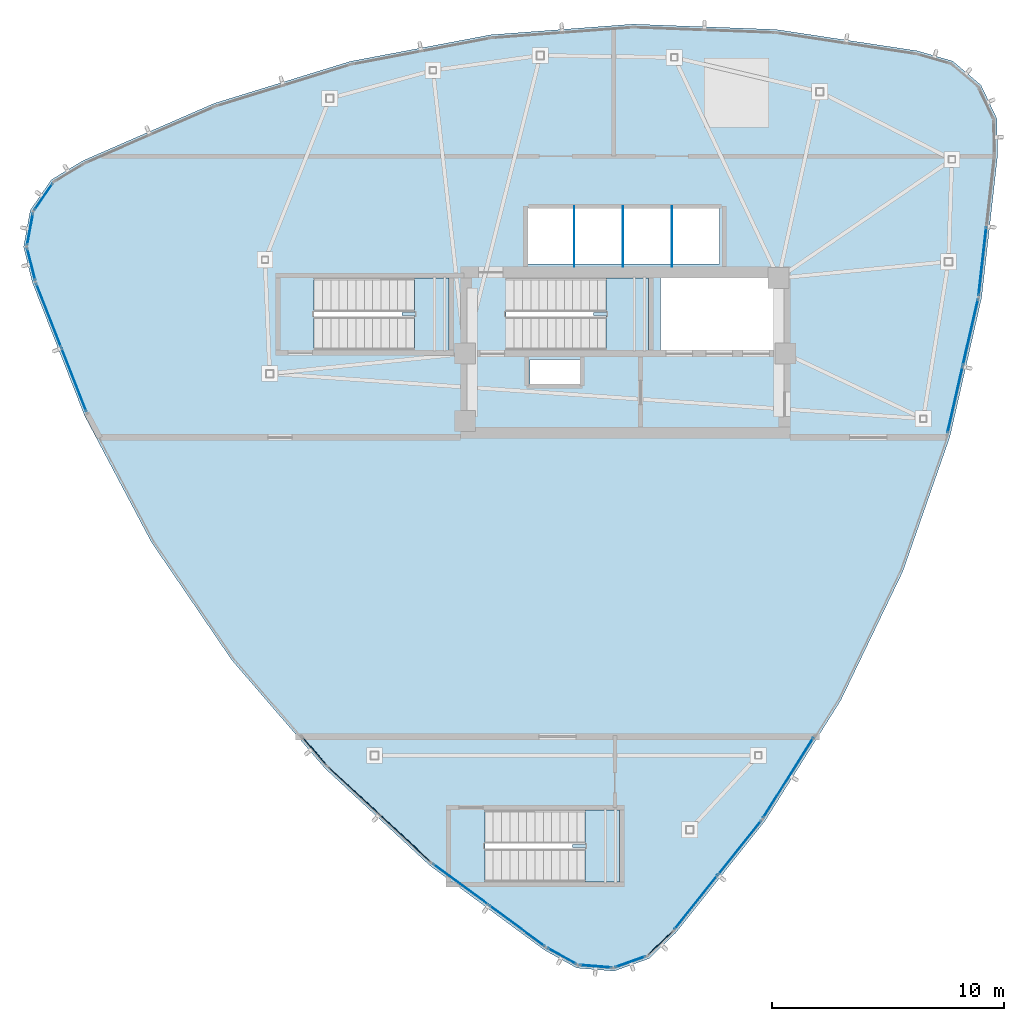
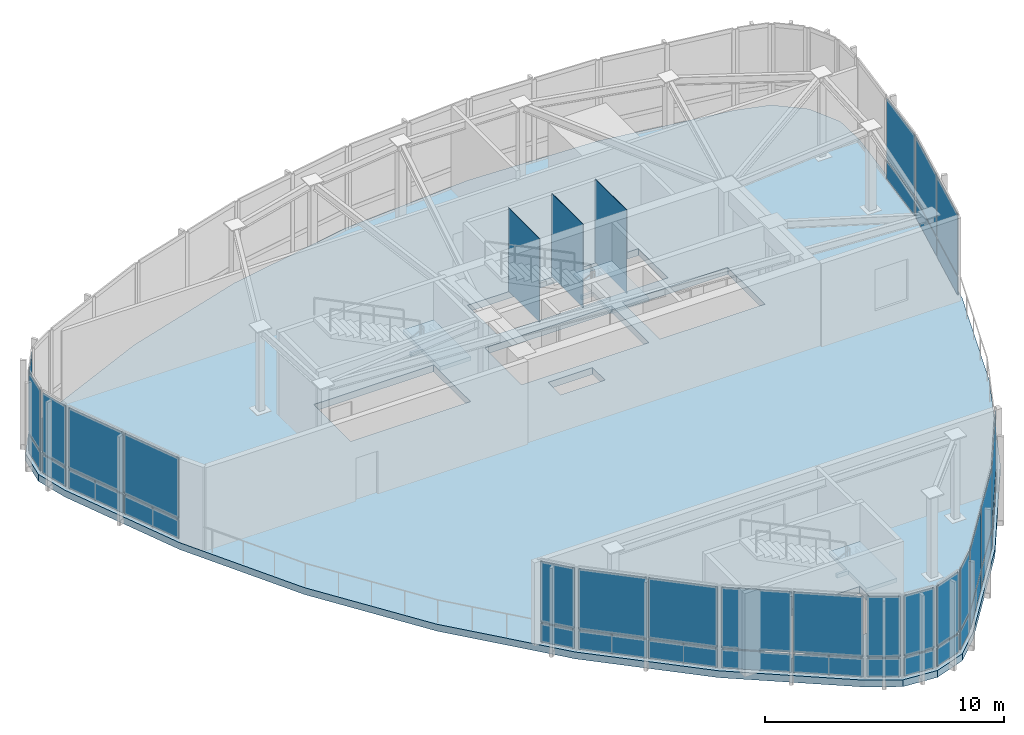
# One storey, part 9 of 16: 43 plates, 4 slabs, 18 elements without a shape of their own.
"""IFC4 building model written with IfcOpenShell, lengths in metres."""

from ifc_helpers import new_model, si_unit, direction, frame, origin, origin_2d, place, context, subcontext, project, spatial, polyline, rectangle, outline, extrude, source, transform, mapped, material, layer, layer_set, type_object, type_shapes, element, aggregate, save


model = new_model("IFC4")

# Units and contexts
model_context = context("Model", 3, precision=1e-05, world=origin(), true_north=direction((0.0, 1.0)))
body_context = subcontext(model_context, "Body", "Model", "MODEL_VIEW")
ifc_project = project(units=[si_unit("LENGTHUNIT", "METRE"), si_unit("AREAUNIT", "SQUARE_METRE"), si_unit("VOLUMEUNIT", "CUBIC_METRE"), si_unit("PLANEANGLEUNIT", "RADIAN"), si_unit("MASSUNIT", "GRAM", prefix="KILO")], contexts=[model_context])

# Site, building, storey
site_placement = place(None, origin())
site = spatial("IfcSite", under=ifc_project, at=site_placement, CompositionType="ELEMENT")
building_placement = place(site_placement, origin())
building = spatial("IfcBuilding", under=site, at=building_placement, Name="Tavelor Broadcast Tower", CompositionType="ELEMENT")
storey_placement = place(building_placement, frame((0.0, 0.0, 332.10009765625)))
storey = spatial("IfcBuildingStorey", under=building, at=storey_placement, Name="L79", CompositionType="ELEMENT", Elevation=332.10009765625)

# Slab
ifc_material_1 = material(Name="Concrete C40/50", Category="concrete")
ifc_layer_1 = layer(ifc_material_1, 0.35009765625)
ifc_layer_set_1 = layer_set([ifc_layer_1], Name="Concrete C40/50")
slab_type_1 = type_object("IfcSlabType", Name="Podium Structural Floor Slab 350 mm", PredefinedType="FLOOR", material=ifc_layer_set_1)
slab_1_placement = place(storey_placement, frame((0.0, 0.0, -0.35009765625)))
element("IfcSlab", 1, at=slab_1_placement, inside=storey, type_object=slab_type_1, Name="L79 Crown Deck and Sky-Slot Terrace Slab", PredefinedType="FLOOR", context=body_context, shape_type="SweptSolid", body=[
    extrude(outline(polyline([(26.659912109375, 56.263427734375), (25.288818359375, 55.43798828125), (24.37890625, 54.121337890625), (24.09130859375, 52.547119140625), (24.477294921875, 50.99365234375), (26.7216796875, 45.272216796875), (29.593017578125, 39.838134765625), (33.05517578125, 34.760009765625), (37.064208984375, 30.101806640625), (41.56982421875, 25.921875), (46.515380859375, 22.27294921875), (47.916015625, 21.498291015625), (49.51123046875, 21.368408203125), (51.018310546875, 21.90673828125), (52.170654296875, 23.017333984375), (56.00341796875, 27.822021484375), (59.273681640625, 33.025634765625), (61.9404296875, 38.56298828125), (63.97021484375, 44.364013671875), (65.33740234375, 50.356201171875), (66.0244140625, 56.463623046875), (65.9951171875, 58.063720703125), (65.309814453125, 59.510009765625), (64.090087890625, 60.54638671875), (62.552001953125, 60.98876953125), (56.474853515625, 61.90576171875), (50.333251953125, 62.135986328125), (44.204345703125, 61.677001953125), (38.16552734375, 60.5341796875), (32.292724609375, 58.72216796875), (26.659912109375, 56.263427734375)]), holes=[polyline([(49.74609375, 28.2958984375), (49.74609375, 25.2041015625), (43.9541015625, 25.2041015625), (43.9541015625, 28.2958984375), (49.74609375, 28.2958984375)]), polyline([(48.050048828125, 46.64990234375), (45.89990234375, 46.64990234375), (45.89990234375, 47.699951171875), (48.050048828125, 47.699951171875), (48.050048828125, 46.64990234375)]), polyline([(42.39599609375, 48.10400390625), (36.60400390625, 48.10400390625), (36.60400390625, 51.196044921875), (42.39599609375, 51.196044921875), (42.39599609375, 48.10400390625)]), polyline([(50.99609375, 51.196044921875), (50.99609375, 48.10400390625), (44.85400390625, 48.10400390625), (44.85400390625, 51.196044921875), (50.99609375, 51.196044921875)]), polyline([(56.60009765625, 48.10009765625), (51.52001953125, 48.10009765625), (51.52001953125, 51.199951171875), (56.60009765625, 51.199951171875), (56.60009765625, 48.10009765625)]), polyline([(54.050048828125, 51.800048828125), (45.800048828125, 51.800048828125), (45.800048828125, 54.25), (54.050048828125, 54.25), (54.050048828125, 51.800048828125)])]), origin(), (0.0, 0.0, 1.0), 0.35009765625),
])

# Stair, slab
stair_type = type_object("IfcStairType", Name="Reinforced Concrete Protected Dogleg Stair 1450 mm", PredefinedType="HALF_TURN_STAIR", material=ifc_material_1)
stair_1_placement = place(storey_placement, origin())
stair_1 = element("IfcStair", 2, at=stair_1_placement, inside=storey, type_object=stair_type, Name="L79 Protected Core Exit Stair ST1", PredefinedType="HALF_TURN_STAIR")
ifc_layer_2 = layer(ifc_material_1, 0.199951171875)
ifc_layer_set_2 = layer_set([ifc_layer_2], Name="Concrete C40/50")
slab_type_2 = type_object("IfcSlabType", Name="Reinforced Concrete Stair Half-Landing Slab 200 mm", PredefinedType="LANDING", material=ifc_layer_set_2)
slab_2_placement = place(storey_placement, frame((0.0, 0.0, 2.099853515625)))
slab_2 = element("IfcSlab", 3, at=slab_2_placement, type_object=slab_type_2, Name="ST1 landing 1", PredefinedType="LANDING", context=body_context, shape_type="SweptSolid", body=[
    extrude(outline(polyline([(49.1650390625, 49.590087890625), (49.1650390625, 48.094970703125), (51.0048828125, 48.094970703125), (51.0048828125, 51.205078125), (49.1650390625, 51.205078125), (49.1650390625, 49.7099609375), (48.625, 49.7099609375), (48.625, 49.590087890625), (49.1650390625, 49.590087890625)])), origin(), (0.0, 0.0, 1.0), 0.199951171875),
])
aggregate(stair_1, [slab_2])

stair_2_placement = place(storey_placement, origin())
stair_2 = element("IfcStair", 4, at=stair_2_placement, inside=storey, type_object=stair_type, Name="L79 Crown Peak A Plant Stair ST5", PredefinedType="HALF_TURN_STAIR")
slab_3_placement = place(storey_placement, frame((0.0, 0.0, 2.099853515625)))
slab_3 = element("IfcSlab", 5, at=slab_3_placement, type_object=slab_type_2, Name="ST5 landing 1", PredefinedType="LANDING", context=body_context, shape_type="SweptSolid", body=[
    extrude(outline(polyline([(40.9150390625, 49.590087890625), (40.9150390625, 48.094970703125), (42.405029296875, 48.094970703125), (42.405029296875, 51.205078125), (40.9150390625, 51.205078125), (40.9150390625, 49.7099609375), (40.375, 49.7099609375), (40.375, 49.590087890625), (40.9150390625, 49.590087890625)])), origin(), (0.0, 0.0, 1.0), 0.199951171875),
])
aggregate(stair_2, [slab_3])

stair_3_placement = place(storey_placement, origin())
stair_3 = element("IfcStair", 6, at=stair_3_placement, inside=storey, type_object=stair_type, Name="L79 Crown Peak B Plant Stair ST6", PredefinedType="HALF_TURN_STAIR")
slab_4_placement = place(storey_placement, frame((0.0, 0.0, 2.099853515625)))
slab_4 = element("IfcSlab", 7, at=slab_4_placement, type_object=slab_type_2, Name="ST6 landing 1", PredefinedType="LANDING", context=body_context, shape_type="SweptSolid", body=[
    extrude(outline(polyline([(48.264892578125, 26.68994140625), (48.264892578125, 25.195068359375), (49.7548828125, 25.195068359375), (49.7548828125, 28.304931640625), (48.264892578125, 28.304931640625), (48.264892578125, 26.81005859375), (47.72509765625, 26.81005859375), (47.72509765625, 26.68994140625), (48.264892578125, 26.68994140625)])), origin(), (0.0, 0.0, 1.0), 0.199951171875),
])
aggregate(stair_3, [slab_4])

# Plates
ifc_material_2 = material(Name="Steel S355", Category="steel")
ifc_layer_3 = layer(ifc_material_2, 0.011962890625)
ifc_layer_set_3 = layer_set([ifc_layer_3], Name="Steel S355")
plate_type_1 = type_object("IfcPlateType", Name="Hoistway Steel Separator Screen 12 mm", PredefinedType="SHEET", material=ifc_layer_set_3)
shared_shape_1 = source(origin(), body_context, "Body", "SweptSolid", [
    extrude(rectangle(XDim=0.02001953125, YDim=2.6201171875, at=origin_2d()), origin(), (0.0, 0.0, 1.0), 4.25),
])
type_shapes(plate_type_1, [shared_shape_1])
for number, where, z_axis, x_axis, name in (
    (8, (47.800048828125, 52.989990234375, 0.0), (0.0, 0.0, 1.0), (1.0, 0.0, 0.0), "L79 High-Rise Hoistway Separator Screen 1"),
    (9, (49.89990234375, 52.989990234375, 0.0), (0.0, 0.0, 1.0), (1.0, 0.0, 0.0), "L79 High-Rise Hoistway Separator Screen 2"),
    (10, (52.0, 52.989990234375, 0.0), (0.0, 0.0, 1.0), (1.0, 0.0, 0.0), "L79 High-Rise Hoistway Separator Screen 3"),
):
    element("IfcPlate", number, at=place(storey_placement, frame(where, z_axis=z_axis, x_axis=x_axis)), inside=storey, type_object=plate_type_1, Name=name, PredefinedType="SHEET", context=body_context, shape_type="MappedRepresentation", body=[
        mapped(shared_shape_1, transform((0.0, 0.0, 0.0), scale=1.0)),
    ])

# Curtain wall, plates
ifc_material_3 = material(Name="Architectural Anodized Aluminium", Category="aluminium")
ifc_layer_4 = layer(ifc_material_3, 0.2099609375)
ifc_layer_set_4 = layer_set([ifc_layer_4], Name="Architectural Anodized Aluminium")
curtain_wall_type = type_object("IfcCurtainWallType", Name="Split-Crown Beacon Curtain Wall CW06", PredefinedType="NOTDEFINED", material=ifc_layer_set_4)
curtain_wall_1_placement = place(storey_placement, origin())
curtain_wall_1 = element("IfcCurtainWall", 11, at=curtain_wall_1_placement, inside=storey, type_object=curtain_wall_type, Name="L79 Curtain Wall CW06 Run 877", PredefinedType="NOTDEFINED")
ifc_material_4 = material(Name="Dichroic Solar Laminated Glazing 34 mm", Category="glass")
ifc_layer_5 = layer(ifc_material_4, 0.033935546875)
ifc_layer_set_5 = layer_set([ifc_layer_5], Name="Dichroic Solar Laminated Glazing 34 mm")
plate_type_2 = type_object("IfcPlateType", Name="CW06 Insulated Vision Glazing Panel 34 mm", PredefinedType="CURTAIN_PANEL", material=ifc_layer_set_5)
shared_shape_2 = source(origin(), body_context, "Body", "SweptSolid", [
    extrude(rectangle(XDim=2.90966796875, YDim=0.033935546875, at=origin_2d()), origin(), (0.0, 0.0, 1.0), 0.94189453125),
])
plate_1_placement = place(storey_placement, frame((64.19287109375, 45.969482421875, 0.072021484375), z_axis=(0.0, 0.0, 1.0), x_axis=(0.222428863533, 0.974948922081, 0.0)))
plate_1 = element("IfcPlate", 12, at=plate_1_placement, type_object=plate_type_2, Name="CW06 panel 1.1", PredefinedType="CURTAIN_PANEL", context=body_context, shape_type="MappedRepresentation", body=[
    mapped(shared_shape_2, transform((0.0, 0.0, 0.0), scale=1.0)),
])
plate_2_placement = place(storey_placement, frame((64.856201171875, 48.87646484375, 0.072021484375), z_axis=(0.0, 0.0, 1.0), x_axis=(0.222428863533, 0.974948922081, 0.0)))
plate_2 = element("IfcPlate", 13, at=plate_2_placement, type_object=plate_type_2, Name="CW06 panel 2.1", PredefinedType="CURTAIN_PANEL", context=body_context, shape_type="MappedRepresentation", body=[
    mapped(shared_shape_2, transform((0.0, 0.0, 0.0), scale=1.0)),
])
shared_shape_3 = source(origin(), body_context, "Body", "SweptSolid", [
    extrude(rectangle(XDim=2.90966796875, YDim=0.033935546875, at=origin_2d()), origin(), (0.0, 0.0, 1.0), 3.092041015625),
])
plate_3_placement = place(storey_placement, frame((64.19287109375, 45.969482421875, 1.0859375), z_axis=(0.0, 0.0, 1.0), x_axis=(0.222428863533, 0.974948922081, 0.0)))
plate_3 = element("IfcPlate", 14, at=plate_3_placement, type_object=plate_type_2, Name="CW06 panel 1.2", PredefinedType="CURTAIN_PANEL", context=body_context, shape_type="MappedRepresentation", body=[
    mapped(shared_shape_3, transform((0.0, 0.0, 0.0), scale=1.0)),
])
plate_4_placement = place(storey_placement, frame((64.856201171875, 48.87646484375, 1.0859375), z_axis=(0.0, 0.0, 1.0), x_axis=(0.222428863533, 0.974948922081, 0.0)))
plate_4 = element("IfcPlate", 15, at=plate_4_placement, type_object=plate_type_2, Name="CW06 panel 2.2", PredefinedType="CURTAIN_PANEL", context=body_context, shape_type="MappedRepresentation", body=[
    mapped(shared_shape_3, transform((0.0, 0.0, 0.0), scale=1.0)),
])
aggregate(curtain_wall_1, [plate_1, plate_3, plate_2, plate_4])

# Curtain wall, plate
curtain_wall_2_placement = place(storey_placement, origin())
curtain_wall_2 = element("IfcCurtainWall", 16, at=curtain_wall_2_placement, inside=storey, type_object=curtain_wall_type, Name="L79 Curtain Wall CW06 Run 878", PredefinedType="NOTDEFINED")
shared_shape_4 = source(origin(), body_context, "Body", "SweptSolid", [
    extrude(rectangle(XDim=2.94140625, YDim=0.033935546875, at=origin_2d()), origin(), (0.0, 0.0, 1.0), 0.94189453125),
])
plate_5_placement = place(storey_placement, frame((65.373291015625, 51.927490234375, 0.072021484375), z_axis=(0.0, 0.0, 1.0), x_axis=(0.111820678752, 0.993728401427, 0.0)))
plate_5 = element("IfcPlate", 17, at=plate_5_placement, type_object=plate_type_2, Name="CW06 panel 1.1", PredefinedType="CURTAIN_PANEL", context=body_context, shape_type="MappedRepresentation", body=[
    mapped(shared_shape_4, transform((0.0, 0.0, 0.0), scale=1.0)),
])

# Curtain wall, plates
curtain_wall_3_placement = place(storey_placement, origin())
curtain_wall_3 = element("IfcCurtainWall", 18, at=curtain_wall_3_placement, inside=storey, type_object=curtain_wall_type, Name="L79 Curtain Wall CW06 Run 896", PredefinedType="NOTDEFINED")
plate_6_placement = place(storey_placement, frame((42.912841796875, 25.10498046875, 0.072021484375), z_axis=(0.0, 0.0, 1.0), x_axis=(0.80468560671, -0.593701165869, 0.0)))
plate_6 = element("IfcPlate", 19, at=plate_6_placement, type_object=plate_type_2, Name="CW06 panel 1.1", PredefinedType="CURTAIN_PANEL", context=body_context, shape_type="MappedRepresentation", body=[
    mapped(shared_shape_4, transform((0.0, 0.0, 0.0), scale=1.0)),
])
plate_7_placement = place(storey_placement, frame((45.337646484375, 23.31591796875, 0.072021484375), z_axis=(0.0, 0.0, 1.0), x_axis=(0.80468560671, -0.593701165869, 0.0)))
plate_7 = element("IfcPlate", 20, at=plate_7_placement, type_object=plate_type_2, Name="CW06 panel 2.1", PredefinedType="CURTAIN_PANEL", context=body_context, shape_type="MappedRepresentation", body=[
    mapped(shared_shape_4, transform((0.0, 0.0, 0.0), scale=1.0)),
])

curtain_wall_4_placement = place(storey_placement, origin())
curtain_wall_4 = element("IfcCurtainWall", 21, at=curtain_wall_4_placement, inside=storey, type_object=curtain_wall_type, Name="L79 Curtain Wall CW06 Run 901", PredefinedType="NOTDEFINED")
plate_8_placement = place(storey_placement, frame((53.038330078125, 24.32958984375, 0.072021484375), z_axis=(0.0, 0.0, 1.0), x_axis=(0.623610701207, 0.781735053161, 0.0)))
plate_8 = element("IfcPlate", 22, at=plate_8_placement, type_object=plate_type_2, Name="CW06 panel 1.1", PredefinedType="CURTAIN_PANEL", context=body_context, shape_type="MappedRepresentation", body=[
    mapped(shared_shape_4, transform((0.0, 0.0, 0.0), scale=1.0)),
])
plate_9_placement = place(storey_placement, frame((54.917724609375, 26.685302734375, 0.072021484375), z_axis=(0.0, 0.0, 1.0), x_axis=(0.623610701207, 0.781735053161, 0.0)))
plate_9 = element("IfcPlate", 23, at=plate_9_placement, type_object=plate_type_2, Name="CW06 panel 2.1", PredefinedType="CURTAIN_PANEL", context=body_context, shape_type="MappedRepresentation", body=[
    mapped(shared_shape_4, transform((0.0, 0.0, 0.0), scale=1.0)),
])

# Plate
shared_shape_5 = source(origin(), body_context, "Body", "SweptSolid", [
    extrude(rectangle(XDim=2.94140625, YDim=0.033935546875, at=origin_2d()), origin(), (0.0, 0.0, 1.0), 3.092041015625),
])
plate_10_placement = place(storey_placement, frame((65.373291015625, 51.927490234375, 1.0859375), z_axis=(0.0, 0.0, 1.0), x_axis=(0.111820678752, 0.993728401427, 0.0)))
plate_10 = element("IfcPlate", 24, at=plate_10_placement, type_object=plate_type_2, Name="CW06 panel 1.2", PredefinedType="CURTAIN_PANEL", context=body_context, shape_type="MappedRepresentation", body=[
    mapped(shared_shape_5, transform((0.0, 0.0, 0.0), scale=1.0)),
])

aggregate(curtain_wall_2, [plate_5, plate_10])

plate_11_placement = place(storey_placement, frame((42.912841796875, 25.10498046875, 1.0859375), z_axis=(0.0, 0.0, 1.0), x_axis=(0.80468560671, -0.593701165869, 0.0)))
plate_11 = element("IfcPlate", 25, at=plate_11_placement, type_object=plate_type_2, Name="CW06 panel 1.2", PredefinedType="CURTAIN_PANEL", context=body_context, shape_type="MappedRepresentation", body=[
    mapped(shared_shape_5, transform((0.0, 0.0, 0.0), scale=1.0)),
])

plate_12_placement = place(storey_placement, frame((45.337646484375, 23.31591796875, 1.0859375), z_axis=(0.0, 0.0, 1.0), x_axis=(0.80468560671, -0.593701165869, 0.0)))
plate_12 = element("IfcPlate", 26, at=plate_12_placement, type_object=plate_type_2, Name="CW06 panel 2.2", PredefinedType="CURTAIN_PANEL", context=body_context, shape_type="MappedRepresentation", body=[
    mapped(shared_shape_5, transform((0.0, 0.0, 0.0), scale=1.0)),
])

aggregate(curtain_wall_3, [plate_6, plate_11, plate_7, plate_12])

plate_13_placement = place(storey_placement, frame((53.038330078125, 24.32958984375, 1.0859375), z_axis=(0.0, 0.0, 1.0), x_axis=(0.623610701207, 0.781735053161, 0.0)))
plate_13 = element("IfcPlate", 27, at=plate_13_placement, type_object=plate_type_2, Name="CW06 panel 1.2", PredefinedType="CURTAIN_PANEL", context=body_context, shape_type="MappedRepresentation", body=[
    mapped(shared_shape_5, transform((0.0, 0.0, 0.0), scale=1.0)),
])

plate_14_placement = place(storey_placement, frame((54.917724609375, 26.685302734375, 1.0859375), z_axis=(0.0, 0.0, 1.0), x_axis=(0.623610701207, 0.781735053161, 0.0)))
plate_14 = element("IfcPlate", 28, at=plate_14_placement, type_object=plate_type_2, Name="CW06 panel 2.2", PredefinedType="CURTAIN_PANEL", context=body_context, shape_type="MappedRepresentation", body=[
    mapped(shared_shape_5, transform((0.0, 0.0, 0.0), scale=1.0)),
])

aggregate(curtain_wall_4, [plate_8, plate_13, plate_9, plate_14])

# Curtain wall, plate
curtain_wall_5_placement = place(storey_placement, origin())
curtain_wall_5 = element("IfcCurtainWall", 29, at=curtain_wall_5_placement, inside=storey, type_object=curtain_wall_type, Name="L79 Curtain Wall CW06 Run 892", PredefinedType="NOTDEFINED")
shared_shape_6 = source(origin(), body_context, "Body", "SweptSolid", [
    extrude(rectangle(XDim=1.38720703125, YDim=0.033935546875, at=origin_2d()), origin(), (0.0, 0.0, 1.0), 0.94189453125),
])
plate_15_placement = place(storey_placement, frame((24.4228515625, 51.7939453125, 0.072021484375), z_axis=(0.0, 0.0, 1.0), x_axis=(0.241060101522, -0.970510189258, 0.0)))
plate_15 = element("IfcPlate", 30, at=plate_15_placement, type_object=plate_type_2, Name="CW06 panel 1.1", PredefinedType="CURTAIN_PANEL", context=body_context, shape_type="MappedRepresentation", body=[
    mapped(shared_shape_6, transform((0.0, 0.0, 0.0), scale=1.0)),
])

curtain_wall_6_placement = place(storey_placement, origin())
curtain_wall_6 = element("IfcCurtainWall", 31, at=curtain_wall_6_placement, inside=storey, type_object=curtain_wall_type, Name="L79 Curtain Wall CW06 Run 897", PredefinedType="NOTDEFINED")
plate_16_placement = place(storey_placement, frame((47.2744140625, 22.01318359375, 0.072021484375), z_axis=(0.0, 0.0, 1.0), x_axis=(0.875067588701, -0.484000738847, 0.0)))
plate_16 = element("IfcPlate", 32, at=plate_16_placement, type_object=plate_type_2, Name="CW06 panel 1.1", PredefinedType="CURTAIN_PANEL", context=body_context, shape_type="MappedRepresentation", body=[
    mapped(shared_shape_6, transform((0.0, 0.0, 0.0), scale=1.0)),
])

curtain_wall_7_placement = place(storey_placement, origin())
curtain_wall_7 = element("IfcCurtainWall", 33, at=curtain_wall_7_placement, inside=storey, type_object=curtain_wall_type, Name="L79 Curtain Wall CW06 Run 900", PredefinedType="NOTDEFINED")
plate_17_placement = place(storey_placement, frame((51.5048828125, 22.570068359375, 0.072021484375), z_axis=(0.0, 0.0, 1.0), x_axis=(0.720015592472, 0.693957885319, 0.0)))
plate_17 = element("IfcPlate", 34, at=plate_17_placement, type_object=plate_type_2, Name="CW06 panel 1.1", PredefinedType="CURTAIN_PANEL", context=body_context, shape_type="MappedRepresentation", body=[
    mapped(shared_shape_6, transform((0.0, 0.0, 0.0), scale=1.0)),
])

# Plate
shared_shape_7 = source(origin(), body_context, "Body", "SweptSolid", [
    extrude(rectangle(XDim=1.38720703125, YDim=0.033935546875, at=origin_2d()), origin(), (0.0, 0.0, 1.0), 3.092041015625),
])
plate_18_placement = place(storey_placement, frame((24.4228515625, 51.7939453125, 1.0859375), z_axis=(0.0, 0.0, 1.0), x_axis=(0.241060101522, -0.970510189258, 0.0)))
plate_18 = element("IfcPlate", 35, at=plate_18_placement, type_object=plate_type_2, Name="CW06 panel 1.2", PredefinedType="CURTAIN_PANEL", context=body_context, shape_type="MappedRepresentation", body=[
    mapped(shared_shape_7, transform((0.0, 0.0, 0.0), scale=1.0)),
])

aggregate(curtain_wall_5, [plate_15, plate_18])

plate_19_placement = place(storey_placement, frame((47.2744140625, 22.01318359375, 1.0859375), z_axis=(0.0, 0.0, 1.0), x_axis=(0.875067588701, -0.484000738847, 0.0)))
plate_19 = element("IfcPlate", 36, at=plate_19_placement, type_object=plate_type_2, Name="CW06 panel 1.2", PredefinedType="CURTAIN_PANEL", context=body_context, shape_type="MappedRepresentation", body=[
    mapped(shared_shape_7, transform((0.0, 0.0, 0.0), scale=1.0)),
])

aggregate(curtain_wall_6, [plate_16, plate_19])

plate_20_placement = place(storey_placement, frame((51.5048828125, 22.570068359375, 1.0859375), z_axis=(0.0, 0.0, 1.0), x_axis=(0.720015592472, 0.693957885319, 0.0)))
plate_20 = element("IfcPlate", 37, at=plate_20_placement, type_object=plate_type_2, Name="CW06 panel 1.2", PredefinedType="CURTAIN_PANEL", context=body_context, shape_type="MappedRepresentation", body=[
    mapped(shared_shape_7, transform((0.0, 0.0, 0.0), scale=1.0)),
])

aggregate(curtain_wall_7, [plate_17, plate_20])

# Curtain wall, plate
curtain_wall_8_placement = place(storey_placement, origin())
curtain_wall_8 = element("IfcCurtainWall", 38, at=curtain_wall_8_placement, inside=storey, type_object=curtain_wall_type, Name="L79 Curtain Wall CW06 Run 890", PredefinedType="NOTDEFINED")
shared_shape_8 = source(origin(), body_context, "Body", "SweptSolid", [
    extrude(rectangle(XDim=1.3662109375, YDim=0.033935546875, at=origin_2d()), origin(), (0.0, 0.0, 1.0), 0.94189453125),
])
plate_21_placement = place(storey_placement, frame((24.948974609375, 54.7001953125, 0.072021484375), z_axis=(0.0, 0.0, 1.0), x_axis=(-0.568572836931, -0.822632924885, 0.0)))
plate_21 = element("IfcPlate", 39, at=plate_21_placement, type_object=plate_type_2, Name="CW06 panel 1.1", PredefinedType="CURTAIN_PANEL", context=body_context, shape_type="MappedRepresentation", body=[
    mapped(shared_shape_8, transform((0.0, 0.0, 0.0), scale=1.0)),
])

curtain_wall_9_placement = place(storey_placement, origin())
curtain_wall_9 = element("IfcCurtainWall", 40, at=curtain_wall_9_placement, inside=storey, type_object=curtain_wall_type, Name="L79 Curtain Wall CW06 Run 898", PredefinedType="NOTDEFINED")
plate_22_placement = place(storey_placement, frame((48.724853515625, 21.572998046875, 0.072021484375), z_axis=(0.0, 0.0, 1.0), x_axis=(0.996710426236, -0.081045211043, 0.0)))
plate_22 = element("IfcPlate", 41, at=plate_22_placement, type_object=plate_type_2, Name="CW06 panel 1.1", PredefinedType="CURTAIN_PANEL", context=body_context, shape_type="MappedRepresentation", body=[
    mapped(shared_shape_8, transform((0.0, 0.0, 0.0), scale=1.0)),
])

curtain_wall_10_placement = place(storey_placement, origin())
curtain_wall_10 = element("IfcCurtainWall", 42, at=curtain_wall_10_placement, inside=storey, type_object=curtain_wall_type, Name="L79 Curtain Wall CW06 Run 899", PredefinedType="NOTDEFINED")
plate_23_placement = place(storey_placement, frame((50.2177734375, 21.76953125, 0.072021484375), z_axis=(0.0, 0.0, 1.0), x_axis=(0.941747903999, 0.336319617795, 0.0)))
plate_23 = element("IfcPlate", 43, at=plate_23_placement, type_object=plate_type_2, Name="CW06 panel 1.1", PredefinedType="CURTAIN_PANEL", context=body_context, shape_type="MappedRepresentation", body=[
    mapped(shared_shape_8, transform((0.0, 0.0, 0.0), scale=1.0)),
])

# Plate
shared_shape_9 = source(origin(), body_context, "Body", "SweptSolid", [
    extrude(rectangle(XDim=1.3662109375, YDim=0.033935546875, at=origin_2d()), origin(), (0.0, 0.0, 1.0), 3.092041015625),
])
plate_24_placement = place(storey_placement, frame((24.948974609375, 54.7001953125, 1.0859375), z_axis=(0.0, 0.0, 1.0), x_axis=(-0.568572836931, -0.822632924885, 0.0)))
plate_24 = element("IfcPlate", 44, at=plate_24_placement, type_object=plate_type_2, Name="CW06 panel 1.2", PredefinedType="CURTAIN_PANEL", context=body_context, shape_type="MappedRepresentation", body=[
    mapped(shared_shape_9, transform((0.0, 0.0, 0.0), scale=1.0)),
])

aggregate(curtain_wall_8, [plate_21, plate_24])

plate_25_placement = place(storey_placement, frame((48.724853515625, 21.572998046875, 1.0859375), z_axis=(0.0, 0.0, 1.0), x_axis=(0.996710426236, -0.081045211043, 0.0)))
plate_25 = element("IfcPlate", 45, at=plate_25_placement, type_object=plate_type_2, Name="CW06 panel 1.2", PredefinedType="CURTAIN_PANEL", context=body_context, shape_type="MappedRepresentation", body=[
    mapped(shared_shape_9, transform((0.0, 0.0, 0.0), scale=1.0)),
])

aggregate(curtain_wall_9, [plate_22, plate_25])

plate_26_placement = place(storey_placement, frame((50.2177734375, 21.76953125, 1.0859375), z_axis=(0.0, 0.0, 1.0), x_axis=(0.941747903999, 0.336319617795, 0.0)))
plate_26 = element("IfcPlate", 46, at=plate_26_placement, type_object=plate_type_2, Name="CW06 panel 1.2", PredefinedType="CURTAIN_PANEL", context=body_context, shape_type="MappedRepresentation", body=[
    mapped(shared_shape_9, transform((0.0, 0.0, 0.0), scale=1.0)),
])

aggregate(curtain_wall_10, [plate_23, plate_26])

# Curtain wall, plates
curtain_wall_11_placement = place(storey_placement, origin())
curtain_wall_11 = element("IfcCurtainWall", 47, at=curtain_wall_11_placement, inside=storey, type_object=curtain_wall_type, Name="L79 Curtain Wall CW06 Run 895", PredefinedType="NOTDEFINED")
shared_shape_10 = source(origin(), body_context, "Body", "SweptSolid", [
    extrude(rectangle(XDim=2.942138671875, YDim=0.033935546875, at=origin_2d()), origin(), (0.0, 0.0, 1.0), 0.94189453125),
])
plate_27_placement = place(storey_placement, frame((38.307373046875, 29.139404296875, 0.072021484375), z_axis=(0.0, 0.0, 1.0), x_axis=(0.733116862626, -0.680102687639, 0.0)))
plate_27 = element("IfcPlate", 48, at=plate_27_placement, type_object=plate_type_2, Name="CW06 panel 1.1", PredefinedType="CURTAIN_PANEL", context=body_context, shape_type="MappedRepresentation", body=[
    mapped(shared_shape_10, transform((0.0, 0.0, 0.0), scale=1.0)),
])
plate_28_placement = place(storey_placement, frame((40.51708984375, 27.08935546875, 0.072021484375), z_axis=(0.0, 0.0, 1.0), x_axis=(0.733116862626, -0.680102687639, 0.0)))
plate_28 = element("IfcPlate", 49, at=plate_28_placement, type_object=plate_type_2, Name="CW06 panel 2.1", PredefinedType="CURTAIN_PANEL", context=body_context, shape_type="MappedRepresentation", body=[
    mapped(shared_shape_10, transform((0.0, 0.0, 0.0), scale=1.0)),
])
shared_shape_11 = source(origin(), body_context, "Body", "SweptSolid", [
    extrude(rectangle(XDim=2.942138671875, YDim=0.033935546875, at=origin_2d()), origin(), (0.0, 0.0, 1.0), 3.092041015625),
])
plate_29_placement = place(storey_placement, frame((38.307373046875, 29.139404296875, 1.0859375), z_axis=(0.0, 0.0, 1.0), x_axis=(0.733116862626, -0.680102687639, 0.0)))
plate_29 = element("IfcPlate", 50, at=plate_29_placement, type_object=plate_type_2, Name="CW06 panel 1.2", PredefinedType="CURTAIN_PANEL", context=body_context, shape_type="MappedRepresentation", body=[
    mapped(shared_shape_11, transform((0.0, 0.0, 0.0), scale=1.0)),
])
plate_30_placement = place(storey_placement, frame((40.51708984375, 27.08935546875, 1.0859375), z_axis=(0.0, 0.0, 1.0), x_axis=(0.733116862626, -0.680102687639, 0.0)))
plate_30 = element("IfcPlate", 51, at=plate_30_placement, type_object=plate_type_2, Name="CW06 panel 2.2", PredefinedType="CURTAIN_PANEL", context=body_context, shape_type="MappedRepresentation", body=[
    mapped(shared_shape_11, transform((0.0, 0.0, 0.0), scale=1.0)),
])
aggregate(curtain_wall_11, [plate_27, plate_29, plate_28, plate_30])

curtain_wall_12_placement = place(storey_placement, origin())
curtain_wall_12 = element("IfcCurtainWall", 52, at=curtain_wall_12_placement, inside=storey, type_object=curtain_wall_type, Name="L79 Curtain Wall CW06 Run 891", PredefinedType="NOTDEFINED")
shared_shape_12 = source(origin(), body_context, "Body", "SweptSolid", [
    extrude(rectangle(XDim=1.365966796875, YDim=0.033935546875, at=origin_2d()), origin(), (0.0, 0.0, 1.0), 0.94189453125),
])
plate_31_placement = place(storey_placement, frame((24.372802734375, 53.30908203125, 0.072021484375), z_axis=(0.0, 0.0, 1.0), x_axis=(-0.179660445675, -0.983728684272, 0.0)))
plate_31 = element("IfcPlate", 53, at=plate_31_placement, type_object=plate_type_2, Name="CW06 panel 1.1", PredefinedType="CURTAIN_PANEL", context=body_context, shape_type="MappedRepresentation", body=[
    mapped(shared_shape_12, transform((0.0, 0.0, 0.0), scale=1.0)),
])
shared_shape_13 = source(origin(), body_context, "Body", "SweptSolid", [
    extrude(rectangle(XDim=1.365966796875, YDim=0.033935546875, at=origin_2d()), origin(), (0.0, 0.0, 1.0), 3.092041015625),
])
plate_32_placement = place(storey_placement, frame((24.372802734375, 53.30908203125, 1.0859375), z_axis=(0.0, 0.0, 1.0), x_axis=(-0.179660445675, -0.983728684272, 0.0)))
plate_32 = element("IfcPlate", 54, at=plate_32_placement, type_object=plate_type_2, Name="CW06 panel 1.2", PredefinedType="CURTAIN_PANEL", context=body_context, shape_type="MappedRepresentation", body=[
    mapped(shared_shape_13, transform((0.0, 0.0, 0.0), scale=1.0)),
])
aggregate(curtain_wall_12, [plate_31, plate_32])

curtain_wall_13_placement = place(storey_placement, origin())
curtain_wall_13 = element("IfcCurtainWall", 55, at=curtain_wall_13_placement, inside=storey, type_object=curtain_wall_type, Name="L79 Curtain Wall CW06 Run 893", PredefinedType="NOTDEFINED")
shared_shape_14 = source(origin(), body_context, "Body", "SweptSolid", [
    extrude(rectangle(XDim=2.908935546875, YDim=0.033935546875, at=origin_2d()), origin(), (0.0, 0.0, 1.0), 0.94189453125),
])
plate_33_placement = place(storey_placement, frame((25.173828125, 49.601318359375, 0.072021484375), z_axis=(0.0, 0.0, 1.0), x_axis=(0.365199057368, -0.930929454093, 0.0)))
plate_33 = element("IfcPlate", 56, at=plate_33_placement, type_object=plate_type_2, Name="CW06 panel 1.1", PredefinedType="CURTAIN_PANEL", context=body_context, shape_type="MappedRepresentation", body=[
    mapped(shared_shape_14, transform((0.0, 0.0, 0.0), scale=1.0)),
])
plate_34_placement = place(storey_placement, frame((26.262451171875, 46.826171875, 0.072021484375), z_axis=(0.0, 0.0, 1.0), x_axis=(0.365199057368, -0.930929454093, 0.0)))
plate_34 = element("IfcPlate", 57, at=plate_34_placement, type_object=plate_type_2, Name="CW06 panel 2.1", PredefinedType="CURTAIN_PANEL", context=body_context, shape_type="MappedRepresentation", body=[
    mapped(shared_shape_14, transform((0.0, 0.0, 0.0), scale=1.0)),
])
shared_shape_15 = source(origin(), body_context, "Body", "SweptSolid", [
    extrude(rectangle(XDim=2.908935546875, YDim=0.033935546875, at=origin_2d()), origin(), (0.0, 0.0, 1.0), 3.092041015625),
])
plate_35_placement = place(storey_placement, frame((25.173828125, 49.601318359375, 1.0859375), z_axis=(0.0, 0.0, 1.0), x_axis=(0.365199057368, -0.930929454093, 0.0)))
plate_35 = element("IfcPlate", 58, at=plate_35_placement, type_object=plate_type_2, Name="CW06 panel 1.2", PredefinedType="CURTAIN_PANEL", context=body_context, shape_type="MappedRepresentation", body=[
    mapped(shared_shape_15, transform((0.0, 0.0, 0.0), scale=1.0)),
])
plate_36_placement = place(storey_placement, frame((26.262451171875, 46.826171875, 1.0859375), z_axis=(0.0, 0.0, 1.0), x_axis=(0.365199057368, -0.930929454093, 0.0)))
plate_36 = element("IfcPlate", 59, at=plate_36_placement, type_object=plate_type_2, Name="CW06 panel 2.2", PredefinedType="CURTAIN_PANEL", context=body_context, shape_type="MappedRepresentation", body=[
    mapped(shared_shape_15, transform((0.0, 0.0, 0.0), scale=1.0)),
])
aggregate(curtain_wall_13, [plate_33, plate_35, plate_34, plate_36])

curtain_wall_14_placement = place(storey_placement, origin())
curtain_wall_14 = element("IfcCurtainWall", 60, at=curtain_wall_14_placement, inside=storey, type_object=curtain_wall_type, Name="L79 Curtain Wall CW06 Run 894", PredefinedType="NOTDEFINED")
shared_shape_16 = source(origin(), body_context, "Body", "SweptSolid", [
    extrude(rectangle(XDim=1.504638671875, YDim=0.033935546875, at=origin_2d()), origin(), (0.0, 0.0, 1.0), 0.94189453125),
])
plate_37_placement = place(storey_placement, frame((36.61767578125, 30.835205078125, 0.072021484375), z_axis=(0.0, 0.0, 1.0), x_axis=(0.652333494003, -0.757932063315, 0.0)))
plate_37 = element("IfcPlate", 61, at=plate_37_placement, type_object=plate_type_2, Name="CW06 panel 1.1", PredefinedType="CURTAIN_PANEL", context=body_context, shape_type="MappedRepresentation", body=[
    mapped(shared_shape_16, transform((0.0, 0.0, 0.0), scale=1.0)),
])
shared_shape_17 = source(origin(), body_context, "Body", "SweptSolid", [
    extrude(rectangle(XDim=1.504638671875, YDim=0.033935546875, at=origin_2d()), origin(), (0.0, 0.0, 1.0), 3.092041015625),
])
plate_38_placement = place(storey_placement, frame((36.61767578125, 30.835205078125, 1.0859375), z_axis=(0.0, 0.0, 1.0), x_axis=(0.652333494003, -0.757932063315, 0.0)))
plate_38 = element("IfcPlate", 62, at=plate_38_placement, type_object=plate_type_2, Name="CW06 panel 1.2", PredefinedType="CURTAIN_PANEL", context=body_context, shape_type="MappedRepresentation", body=[
    mapped(shared_shape_17, transform((0.0, 0.0, 0.0), scale=1.0)),
])
aggregate(curtain_wall_14, [plate_37, plate_38])

curtain_wall_15_placement = place(storey_placement, origin())
curtain_wall_15 = element("IfcCurtainWall", 63, at=curtain_wall_15_placement, inside=storey, type_object=curtain_wall_type, Name="L79 Curtain Wall CW06 Run 902", PredefinedType="NOTDEFINED")
shared_shape_18 = source(origin(), body_context, "Body", "SweptSolid", [
    extrude(rectangle(XDim=4.0419921875, YDim=0.033935546875, at=origin_2d()), origin(), (0.0, 0.0, 1.0), 0.94189453125),
])
plate_39_placement = place(storey_placement, frame((57.0107421875, 29.68798828125, 0.072021484375), z_axis=(0.0, 0.0, 1.0), x_axis=(0.532116747623, 0.84667099094, 0.0)))
plate_39 = element("IfcPlate", 64, at=plate_39_placement, type_object=plate_type_2, Name="CW06 panel 1.1", PredefinedType="CURTAIN_PANEL", context=body_context, shape_type="MappedRepresentation", body=[
    mapped(shared_shape_18, transform((0.0, 0.0, 0.0), scale=1.0)),
])
shared_shape_19 = source(origin(), body_context, "Body", "SweptSolid", [
    extrude(rectangle(XDim=4.0419921875, YDim=0.033935546875, at=origin_2d()), origin(), (0.0, 0.0, 1.0), 3.092041015625),
])
type_shapes(plate_type_2, [shared_shape_2, shared_shape_3, shared_shape_4, shared_shape_5, shared_shape_6, shared_shape_7, shared_shape_8, shared_shape_9, shared_shape_10, shared_shape_11, shared_shape_12, shared_shape_13, shared_shape_14, shared_shape_15, shared_shape_16, shared_shape_17, shared_shape_18, shared_shape_19])
plate_40_placement = place(storey_placement, frame((57.0107421875, 29.68798828125, 1.0859375), z_axis=(0.0, 0.0, 1.0), x_axis=(0.532116747623, 0.84667099094, 0.0)))
plate_40 = element("IfcPlate", 65, at=plate_40_placement, type_object=plate_type_2, Name="CW06 panel 1.2", PredefinedType="CURTAIN_PANEL", context=body_context, shape_type="MappedRepresentation", body=[
    mapped(shared_shape_19, transform((0.0, 0.0, 0.0), scale=1.0)),
])
aggregate(curtain_wall_15, [plate_39, plate_40])

save(model, "model.ifc")
